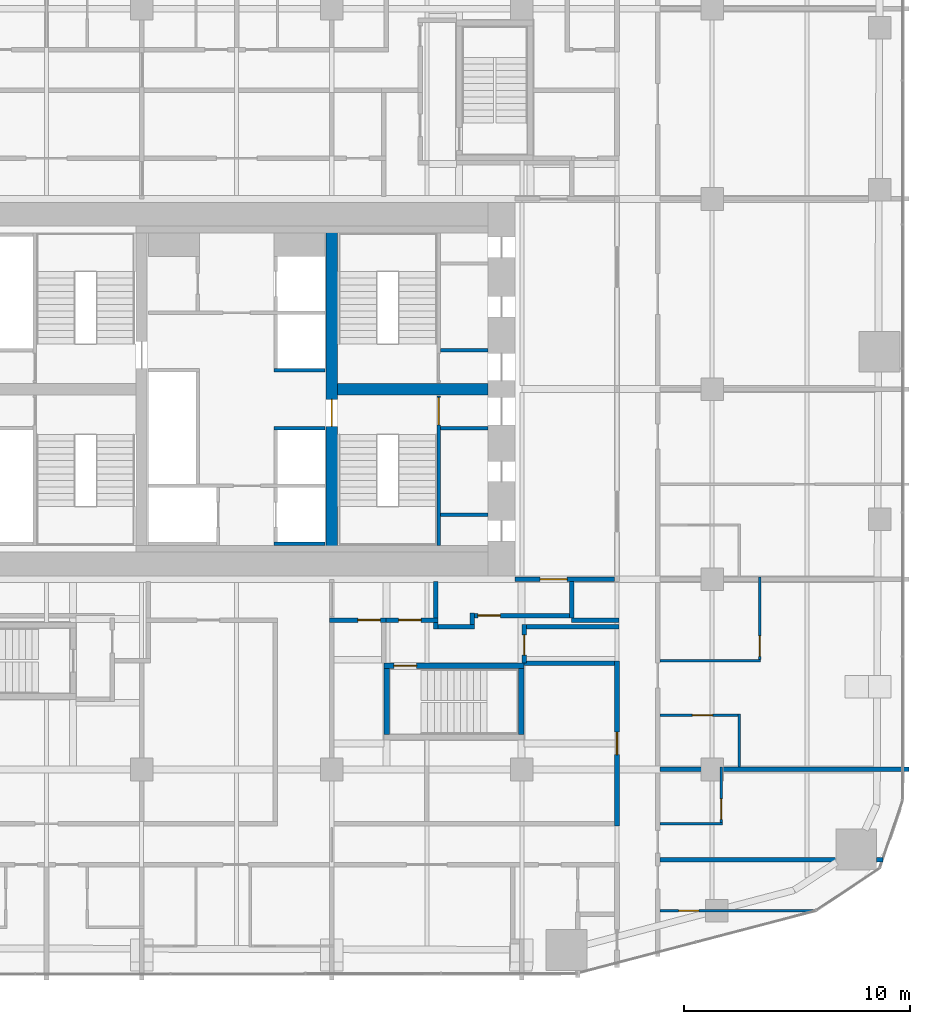
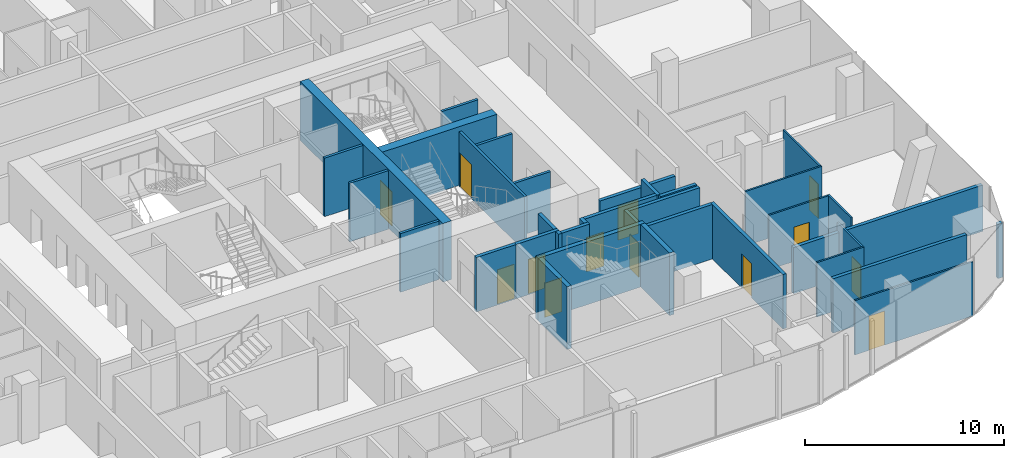
# One storey, part 20 of 27: 36 walls, 13 doors, 13 openings.
"""IFC4 building model written with IfcOpenShell, lengths in metres."""

from ifc_helpers import new_model, si_unit, direction, frame, frame_2d, origin, place, context, subcontext, project, spatial, rectangle, extrude, material, layer, layer_set, type_object, element, fill, save


model = new_model("IFC4")

# Units and contexts
model_context = context("Model", 3, precision=1e-05, world=origin(), true_north=direction((0.0, 1.0)))
body_context = subcontext(model_context, "Body", "Model", "MODEL_VIEW")
ifc_project = project(units=[si_unit("LENGTHUNIT", "METRE"), si_unit("AREAUNIT", "SQUARE_METRE"), si_unit("VOLUMEUNIT", "CUBIC_METRE"), si_unit("PLANEANGLEUNIT", "RADIAN"), si_unit("MASSUNIT", "GRAM", prefix="KILO")], contexts=[model_context])

# Site, building, storey
site_placement = place(None, origin())
site = spatial("IfcSite", under=ifc_project, at=site_placement, CompositionType="ELEMENT")
building_placement = place(site_placement, origin())
building = spatial("IfcBuilding", under=site, at=building_placement, Name="Marenta Gate Hotel Tower", CompositionType="ELEMENT")
storey_placement = place(building_placement, frame((0.0, 0.0, 36.5)))
storey = spatial("IfcBuildingStorey", under=building, at=storey_placement, Name="L06", CompositionType="ELEMENT", Elevation=36.5)

# Wall, opening, door
ifc_material_1 = material(Name="Concrete blockwork", Category="masonry")
ifc_layer_1 = layer(ifc_material_1, 0.199951171875)
ifc_layer_set_1 = layer_set([ifc_layer_1], Name="Concrete blockwork")
wall_type_1 = type_object("IfcWallType", Name="Core boundary wall 200 REI 180", PredefinedType="PARTITIONING", material=ifc_layer_set_1)
wall_1_placement = place(storey_placement, frame((12.300048828125, 0.0, 0.0), z_axis=(0.0, 0.0, 1.0), x_axis=(1.0, 0.0, 0.0)))
wall_1 = element("IfcWall", 1, at=wall_1_placement, inside=storey, type_object=wall_type_1, Name="L06-CP-EW-ES", PredefinedType="PARTITIONING", context=body_context, shape_type="SweptSolid", body=[
    extrude(rectangle(XDim=4.39990234375, YDim=0.199951171875, at=frame_2d((2.199951171875, 0.0))), origin(), (0.0, 0.0, 1.0), 2.840087890625),
])
opening_1_placement = place(wall_1_placement, frame((1.10009765625, 0.0, 0.0)))
opening_1 = element("IfcOpeningElement", 2, at=opening_1_placement, cuts=wall_1, Name="Opening RS-Z1-1", PredefinedType="OPENING", context=body_context, shape_type="SweptSolid", body=[
    extrude(rectangle(XDim=1.199951171875, YDim=2.10009765625, at=frame_2d((0.60009765625, 1.050048828125))), frame((0.0, 0.10009765625, 0.0), z_axis=(0.0, -1.0, 0.0), x_axis=(1.0, 0.0, 0.0)), (0.0, 0.0, 1.0), 0.199951171875),
])
ifc_material_2 = material(Name="Steel", Category="steel")
door_type_1 = type_object("IfcDoorType", Name="Core lobby door 1200x2100 EI 60", OperationType="SINGLE_SWING_LEFT", PredefinedType="DOOR", material=ifc_material_2)
door_1_placement = place(opening_1_placement, origin())
door_1 = element("IfcDoor", 3, at=door_1_placement, inside=storey, type_object=door_type_1, Name="RS-Z1-1", OperationType="SINGLE_SWING_LEFT", OverallHeight=2.10009765625, OverallWidth=1.199951171875, PredefinedType="DOOR", context=body_context, shape_type="SweptSolid", body=[
    extrude(rectangle(XDim=1.199951171875, YDim=2.10009765625, at=frame_2d((0.60009765625, 1.050048828125))), frame((0.0, 0.02490234375, 0.0), z_axis=(0.0, -1.0, 0.0), x_axis=(1.0, 0.0, 0.0)), (0.0, 0.0, 1.0), 0.050048828125),
])
fill(opening_1, door_1)

# Walls
ifc_material_3 = material(Name="Concrete blockwork", Category="masonry")
ifc_layer_2 = layer(ifc_material_3, 0.14990234375)
ifc_layer_set_2 = layer_set([ifc_layer_2], Name="Concrete blockwork")
wall_type_2 = type_object("IfcWallType", Name="Core room partition 150 REI 180", PredefinedType="PARTITIONING", material=ifc_layer_set_2)
for number, where, z_axis, x_axis, name in (
    (4, (9.0, 6.675048828125, 0.0), (0.0, 0.0, 1.0), (1.0, 0.0, 0.0), "L06-CP-SW-ES-2"),
    (5, (9.0, 2.85009765625, 0.0), (0.0, 0.0, 1.0), (1.0, 0.0, 0.0), "L06-CP-RW-ES-1"),
    (6, (9.0, 10.125, 0.0), (0.0, 0.0, 1.0), (1.0, 0.0, 0.0), "L06-CP-SW-EN-2"),
):
    element("IfcWall", number, at=place(storey_placement, frame(where, z_axis=z_axis, x_axis=x_axis)), inside=storey, type_object=wall_type_2, Name=name, PredefinedType="PARTITIONING", context=body_context, shape_type="SweptSolid", body=[
        extrude(rectangle(XDim=2.10009765625, YDim=0.14990234375, at=frame_2d((1.050048828125, 0.0))), origin(), (0.0, 0.0, 1.0), 3.340087890625),
    ])
ifc_material_4 = material(Name="Concrete C40", Category="concrete")
ifc_layer_3 = layer(ifc_material_4, 0.14990234375)
ifc_layer_set_3 = layer_set([ifc_layer_3], Name="Concrete C40")
wall_type_3 = type_object("IfcWallType", Name="Core shaft wall 150 REI 180", PredefinedType="SHEAR", material=ifc_layer_set_3)
for number, where, z_axis, x_axis, name in (
    (7, (1.64990234375, 1.574951171875, 0.0), (0.0, 0.0, 1.0), (1.0, 0.0, 0.0), "L06-SHF-CE-S-bot"),
    (8, (1.64990234375, 6.675048828125, 0.0), (0.0, 0.0, 1.0), (1.0, 0.0, 0.0), "L06-SHF-CE-sep1"),
    (9, (1.64990234375, 9.22509765625, 0.0), (0.0, 0.0, 1.0), (1.0, 0.0, 0.0), "L06-SHF-CE-sep2"),
):
    element("IfcWall", number, at=place(storey_placement, frame(where, z_axis=z_axis, x_axis=x_axis)), inside=storey, type_object=wall_type_3, Name=name, PredefinedType="SHEAR", context=body_context, shape_type="SweptSolid", body=[
        extrude(rectangle(XDim=2.25, YDim=0.14990234375, at=frame_2d((1.125, 0.0))), origin(), (0.0, 0.0, 1.0), 3.60009765625),
    ])

# Wall, opening, door
ifc_material_5 = material(Name="Concrete C40", Category="concrete")
ifc_layer_4 = layer(ifc_material_5, 0.14990234375)
ifc_layer_set_4 = layer_set([ifc_layer_4], Name="Concrete C40")
wall_type_4 = type_object("IfcWallType", Name="Core stair enclosure wall 150 REI 180", PredefinedType="SHEAR", material=ifc_layer_set_4)
wall_2_placement = place(storey_placement, frame((8.925048828125, 1.5, 0.0), z_axis=(0.0, 0.0, 1.0), x_axis=(0.0, 1.0, 0.0)))
wall_2 = element("IfcWall", 10, at=wall_2_placement, inside=storey, type_object=wall_type_4, Name="L06-SHF-SW-ES-3", PredefinedType="SHEAR", context=body_context, shape_type="SweptSolid", body=[
    extrude(rectangle(XDim=6.60009765625, YDim=0.14990234375, at=frame_2d((3.300048828125, 0.0))), origin(), (0.0, 0.0, 1.0), 3.340087890625),
])
opening_2_placement = place(wall_2_placement, frame((5.324951171875, 0.0, 0.0)))
opening_2 = element("IfcOpeningElement", 11, at=opening_2_placement, cuts=wall_2, Name="Opening SD-ES", PredefinedType="OPENING", context=body_context, shape_type="SweptSolid", body=[
    extrude(rectangle(XDim=1.199951171875, YDim=2.10009765625, at=frame_2d((0.60009765625, 1.050048828125))), frame((0.0, 0.074951171875, 0.0), z_axis=(0.0, -1.0, 0.0), x_axis=(1.0, 0.0, 0.0)), (0.0, 0.0, 1.0), 0.14990234375),
])
ifc_material_6 = material(Name="Steel", Category="steel")
door_type_2 = type_object("IfcDoorType", Name="Core stair door 1200x2100 FD60", OperationType="SINGLE_SWING_LEFT", PredefinedType="DOOR", material=ifc_material_6)
door_2_placement = place(opening_2_placement, origin())
door_2 = element("IfcDoor", 12, at=door_2_placement, inside=storey, type_object=door_type_2, Name="SD-ES", OperationType="SINGLE_SWING_LEFT", OverallHeight=2.10009765625, OverallWidth=1.199951171875, PredefinedType="DOOR", context=body_context, shape_type="SweptSolid", body=[
    extrude(rectangle(XDim=1.199951171875, YDim=2.10009765625, at=frame_2d((0.60009765625, 1.050048828125))), frame((0.0, 0.02490234375, 0.0), z_axis=(0.0, -1.0, 0.0), x_axis=(1.0, 0.0, 0.0)), (0.0, 0.0, 1.0), 0.050048828125),
])
fill(opening_2, door_2)

ifc_material_7 = material(Name="Concrete C80", Category="concrete")
ifc_layer_5 = layer(ifc_material_7, 0.5)
ifc_layer_set_5 = layer_set([ifc_layer_5], Name="Concrete C80")
wall_type_5 = type_object("IfcWallType", Name="Core web 500 C80", PredefinedType="SHEAR", material=ifc_layer_set_5)
wall_3_placement = place(storey_placement, frame((4.199951171875, 1.199951171875, 0.0), z_axis=(0.0, 0.0, 1.0), x_axis=(0.0, 1.0, 0.0)))
wall_3 = element("IfcWall", 13, at=wall_3_placement, inside=storey, type_object=wall_type_5, Name="L06-CORE-W2", PredefinedType="SHEAR", context=body_context, shape_type="SweptSolid", body=[
    extrude(rectangle(XDim=14.400146484375, YDim=0.5, at=frame_2d((7.2001953125, 0.0))), origin(), (0.0, 0.0, 1.0), 3.60009765625),
])
opening_3_placement = place(wall_3_placement, frame((5.550048828125, 0.0, 0.0)))
opening_3 = element("IfcOpeningElement", 14, at=opening_3_placement, cuts=wall_3, Name="Opening WD-E", PredefinedType="OPENING", context=body_context, shape_type="SweptSolid", body=[
    extrude(rectangle(XDim=1.199951171875, YDim=2.10009765625, at=frame_2d((0.60009765625, 1.050048828125))), frame((0.0, 0.25, 0.0), z_axis=(0.0, -1.0, 0.0), x_axis=(1.0, 0.0, 0.0)), (0.0, 0.0, 1.0), 0.5),
])
door_3_placement = place(opening_3_placement, origin())
door_3 = element("IfcDoor", 15, at=door_3_placement, inside=storey, type_object=door_type_2, Name="WD-E", OperationType="SINGLE_SWING_LEFT", OverallHeight=2.10009765625, OverallWidth=1.199951171875, PredefinedType="DOOR", context=body_context, shape_type="SweptSolid", body=[
    extrude(rectangle(XDim=1.199951171875, YDim=2.10009765625, at=frame_2d((0.60009765625, 1.050048828125))), frame((0.0, 0.02490234375, 0.0), z_axis=(0.0, -1.0, 0.0), x_axis=(1.0, 0.0, 0.0)), (0.0, 0.0, 1.0), 0.050048828125),
])
fill(opening_3, door_3)

# Wall
wall_4_placement = place(storey_placement, frame((4.449951171875, 8.39990234375, 0.0), z_axis=(0.0, 0.0, 1.0), x_axis=(1.0, 0.0, 0.0)))
element("IfcWall", 16, at=wall_4_placement, inside=storey, type_object=wall_type_5, Name="L06-CORE-W4", PredefinedType="SHEAR", context=body_context, shape_type="SweptSolid", body=[
    extrude(rectangle(XDim=6.650146484375, YDim=0.5, at=frame_2d((3.3251953125, 0.0))), origin(), (0.0, 0.0, 1.0), 3.60009765625),
])

# Wall, opening, door
ifc_material_8 = material(Name="Concrete C40", Category="concrete")
ifc_layer_6 = layer(ifc_material_8, 0.25)
ifc_layer_set_6 = layer_set([ifc_layer_6], Name="Concrete C40")
wall_type_6 = type_object("IfcWallType", Name="Remote stair enclosure wall 250 REI 180", PredefinedType="SHEAR", material=ifc_layer_set_6)
wall_5_placement = place(storey_placement, frame((6.5, -3.824951171875, -0.14990234375), z_axis=(0.0, 0.0, 1.0), x_axis=(1.0, 0.0, 0.0)))
wall_5 = element("IfcWall", 17, at=wall_5_placement, inside=storey, type_object=wall_type_6, Name="L06-RS-Z1-1-W2", PredefinedType="SHEAR", context=body_context, shape_type="SweptSolid", body=[
    extrude(rectangle(XDim=6.199951171875, YDim=0.25, at=frame_2d((3.10009765625, 0.0))), origin(), (0.0, 0.0, 1.0), 3.849853515625),
])
opening_4_placement = place(wall_5_placement, frame((0.449951171875, 0.0, 0.0)))
opening_4 = element("IfcOpeningElement", 18, at=opening_4_placement, cuts=wall_5, Name="Opening VD", PredefinedType="OPENING", context=body_context, shape_type="SweptSolid", body=[
    extrude(rectangle(XDim=1.0, YDim=2.10009765625, at=frame_2d((0.5, 1.050048828125))), frame((0.0, 0.125, 0.0), z_axis=(0.0, -1.0, 0.0), x_axis=(1.0, 0.0, 0.0)), (0.0, 0.0, 1.0), 0.25),
])
ifc_material_9 = material(Name="Steel", Category="steel")
door_type_3 = type_object("IfcDoorType", Name="Stair vestibule door 1000x2100 FD60", OperationType="SINGLE_SWING_LEFT", PredefinedType="DOOR", material=ifc_material_9)
door_4_placement = place(opening_4_placement, origin())
door_4 = element("IfcDoor", 19, at=door_4_placement, inside=storey, type_object=door_type_3, Name="VD", OperationType="SINGLE_SWING_LEFT", OverallHeight=2.10009765625, OverallWidth=1.0, PredefinedType="DOOR", context=body_context, shape_type="SweptSolid", body=[
    extrude(rectangle(XDim=1.0, YDim=2.10009765625, at=frame_2d((0.5, 1.050048828125))), frame((0.0, 0.02490234375, 0.0), z_axis=(0.0, -1.0, 0.0), x_axis=(1.0, 0.0, 0.0)), (0.0, 0.0, 1.0), 0.050048828125),
])
fill(opening_4, door_4)

# Walls
for number, where, z_axis, x_axis, name in (
    (20, (6.625, -6.85009765625, -0.14990234375), (0.0, 0.0, 1.0), (0.0, 1.0, 0.0), "L06-RS-Z1-1-W3"),
    (21, (12.574951171875, -6.85009765625, -0.14990234375), (0.0, 0.0, 1.0), (0.0, 1.0, 0.0), "L06-RS-Z1-1-W4"),
):
    element("IfcWall", number, at=place(storey_placement, frame(where, z_axis=z_axis, x_axis=x_axis)), inside=storey, type_object=wall_type_6, Name=name, PredefinedType="SHEAR", context=body_context, shape_type="SweptSolid", body=[
        extrude(rectangle(XDim=2.900146484375, YDim=0.25, at=frame_2d((1.4501953125, 0.0))), origin(), (0.0, 0.0, 1.0), 3.849853515625),
    ])

# Wall, opening, door
ifc_material_10 = material(Name="Gypsum board on steel stud", Category="steel")
ifc_layer_7 = layer(ifc_material_10, 0.199951171875)
ifc_layer_set_7 = layer_set([ifc_layer_7], Name="Gypsum board on steel stud")
wall_type_7 = type_object("IfcWallType", Name="Room corridor wall 200 EI 60", PredefinedType="PARTITIONING", material=ifc_layer_set_7)
wall_6_placement = place(storey_placement, frame((16.800048828125, -10.89990234375, 0.0), z_axis=(0.0, 0.0, 1.0), x_axis=(0.0, 1.0, 0.0)))
wall_6 = element("IfcWall", 22, at=wall_6_placement, inside=storey, type_object=wall_type_7, Name="L06-PTN-W010", PredefinedType="PARTITIONING", context=body_context, shape_type="SweptSolid", body=[
    extrude(rectangle(XDim=7.2998046875, YDim=0.199951171875, at=frame_2d((3.64990234375, 0.0))), origin(), (0.0, 0.0, 1.0), 3.340087890625),
])
opening_5_placement = place(wall_6_placement, frame((3.14990234375, 0.0, 0.0)))
opening_5 = element("IfcOpeningElement", 23, at=opening_5_placement, cuts=wall_6, Name="Opening G01-69", PredefinedType="OPENING", context=body_context, shape_type="SweptSolid", body=[
    extrude(rectangle(XDim=1.0, YDim=2.10009765625, at=frame_2d((0.5, 1.050048828125))), frame((0.0, 0.10009765625, 0.0), z_axis=(0.0, -1.0, 0.0), x_axis=(1.0, 0.0, 0.0)), (0.0, 0.0, 1.0), 0.199951171875),
])
ifc_material_11 = material(Name="Timber door leaf", Category="wood")
door_type_4 = type_object("IfcDoorType", Name="Room amenity door 1000x2100 EI 30", OperationType="NOTDEFINED", PredefinedType="DOOR", material=ifc_material_11)
door_5_placement = place(opening_5_placement, origin())
door_5 = element("IfcDoor", 24, at=door_5_placement, inside=storey, type_object=door_type_4, Name="L06-PD-D069", OperationType="SINGLE_SWING_LEFT", OverallHeight=2.10009765625, OverallWidth=1.0, PredefinedType="DOOR", context=body_context, shape_type="SweptSolid", body=[
    extrude(rectangle(XDim=1.0, YDim=2.10009765625, at=frame_2d((0.5, 1.050048828125))), frame((0.0, 0.02490234375, 0.0), z_axis=(0.0, -1.0, 0.0), x_axis=(1.0, 0.0, 0.0)), (0.0, 0.0, 1.0), 0.050048828125),
])
fill(opening_5, door_5)

# Wall
wall_7_placement = place(storey_placement, frame((12.699951171875, -3.699951171875, 0.0), z_axis=(0.0, 0.0, 1.0), x_axis=(1.0, 0.0, 0.0)))
element("IfcWall", 25, at=wall_7_placement, inside=storey, type_object=wall_type_7, Name="L06-PTN-W059", PredefinedType="PARTITIONING", context=body_context, shape_type="SweptSolid", body=[
    extrude(rectangle(XDim=4.0, YDim=0.199951171875, at=frame_2d((2.0, 0.0))), origin(), (0.0, 0.0, 1.0), 3.340087890625),
])

# Wall, opening, door
wall_8_placement = place(storey_placement, frame((4.10009765625, -1.800048828125, 0.0), z_axis=(0.0, 0.0, 1.0), x_axis=(1.0, 0.0, 0.0)))
wall_8 = element("IfcWall", 26, at=wall_8_placement, inside=storey, type_object=wall_type_7, Name="L06-PTN-W067", PredefinedType="PARTITIONING", context=body_context, shape_type="SweptSolid", body=[
    extrude(rectangle(XDim=2.5, YDim=0.199951171875, at=frame_2d((1.25, 0.0))), origin(), (0.0, 0.0, 1.0), 3.340087890625),
])
opening_6_placement = place(wall_8_placement, frame((1.25, 0.0, 0.0)))
opening_6 = element("IfcOpeningElement", 27, at=opening_6_placement, cuts=wall_8, Name="Opening G01-08", PredefinedType="OPENING", context=body_context, shape_type="SweptSolid", body=[
    extrude(rectangle(XDim=1.0, YDim=2.10009765625, at=frame_2d((0.5, 1.050048828125))), frame((0.0, 0.10009765625, 0.0), z_axis=(0.0, -1.0, 0.0), x_axis=(1.0, 0.0, 0.0)), (0.0, 0.0, 1.0), 0.199951171875),
])
door_6_placement = place(opening_6_placement, origin())
door_6 = element("IfcDoor", 28, at=door_6_placement, inside=storey, type_object=door_type_4, Name="L06-PD-D008", OperationType="SINGLE_SWING_RIGHT", OverallHeight=2.10009765625, OverallWidth=1.0, PredefinedType="DOOR", context=body_context, shape_type="SweptSolid", body=[
    extrude(rectangle(XDim=1.0, YDim=2.10009765625, at=frame_2d((0.5, 1.050048828125))), frame((0.0, 0.02490234375, 0.0), z_axis=(0.0, -1.0, 0.0), x_axis=(1.0, 0.0, 0.0)), (0.0, 0.0, 1.0), 0.050048828125),
])
fill(opening_6, door_6)

# Wall
ifc_material_12 = material(Name="Concrete blockwork", Category="masonry")
ifc_layer_8 = layer(ifc_material_12, 0.199951171875)
ifc_layer_set_8 = layer_set([ifc_layer_8], Name="Concrete blockwork")
wall_type_8 = type_object("IfcWallType", Name="Room corridor wall 200 REI 180", PredefinedType="PARTITIONING", material=ifc_layer_set_8)
wall_9_placement = place(storey_placement, frame((14.800048828125, -1.699951171875, 0.0), z_axis=(0.0, 0.0, 1.0), x_axis=(0.0, 1.0, 0.0)))
element("IfcWall", 29, at=wall_9_placement, inside=storey, type_object=wall_type_8, Name="L06-PTN-W022", PredefinedType="PARTITIONING", context=body_context, shape_type="SweptSolid", body=[
    extrude(rectangle(XDim=1.599853515625, YDim=0.199951171875, at=frame_2d((0.7998046875, 0.0))), origin(), (0.0, 0.0, 1.0), 3.340087890625),
])

# Wall, opening, door
wall_10_placement = place(storey_placement, frame((12.699951171875, -3.699951171875, 0.0), z_axis=(0.0, 0.0, 1.0), x_axis=(0.0, 1.0, 0.0)))
wall_10 = element("IfcWall", 30, at=wall_10_placement, inside=storey, type_object=wall_type_8, Name="L06-PTN-W028", PredefinedType="PARTITIONING", context=body_context, shape_type="SweptSolid", body=[
    extrude(rectangle(XDim=1.699951171875, YDim=0.199951171875, at=frame_2d((0.85009765625, 0.0))), origin(), (0.0, 0.0, 1.0), 3.340087890625),
])
opening_7_placement = place(wall_10_placement, frame((0.35009765625, 0.0, 0.0)))
opening_7 = element("IfcOpeningElement", 31, at=opening_7_placement, cuts=wall_10, Name="Opening G01-60", PredefinedType="OPENING", context=body_context, shape_type="SweptSolid", body=[
    extrude(rectangle(XDim=0.89990234375, YDim=2.10009765625, at=frame_2d((0.449951171875, 1.050048828125))), frame((0.0, 0.10009765625, 0.0), z_axis=(0.0, -1.0, 0.0), x_axis=(1.0, 0.0, 0.0)), (0.0, 0.0, 1.0), 0.199951171875),
])
ifc_material_13 = material(Name="Hollow steel door set", Category="steel")
door_type_5 = type_object("IfcDoorType", Name="Stair vestibule door 900x2100 EI 60", OperationType="NOTDEFINED", PredefinedType="DOOR", material=ifc_material_13)
door_7_placement = place(opening_7_placement, origin())
door_7 = element("IfcDoor", 32, at=door_7_placement, inside=storey, type_object=door_type_5, Name="L06-PD-D060", OperationType="SINGLE_SWING_LEFT", OverallHeight=2.10009765625, OverallWidth=0.89990234375, PredefinedType="DOOR", context=body_context, shape_type="SweptSolid", body=[
    extrude(rectangle(XDim=0.89990234375, YDim=2.10009765625, at=frame_2d((0.449951171875, 1.050048828125))), frame((0.0, 0.02490234375, 0.0), z_axis=(0.0, -1.0, 0.0), x_axis=(1.0, 0.0, 0.0)), (0.0, 0.0, 1.0), 0.050048828125),
])
fill(opening_7, door_7)

# Walls
wall_11_placement = place(storey_placement, frame((8.800048828125, -1.699951171875, 0.0), z_axis=(0.0, 0.0, 1.0), x_axis=(0.0, 1.0, 0.0)))
element("IfcWall", 33, at=wall_11_placement, inside=storey, type_object=wall_type_8, Name="L06-PTN-W041", PredefinedType="PARTITIONING", context=body_context, shape_type="SweptSolid", body=[
    extrude(rectangle(XDim=1.599853515625, YDim=0.199951171875, at=frame_2d((0.7998046875, 0.0))), origin(), (0.0, 0.0, 1.0), 3.340087890625),
])
wall_12_placement = place(storey_placement, frame((12.800048828125, -2.10009765625, 0.0), z_axis=(0.0, 0.0, 1.0), x_axis=(1.0, 0.0, 0.0)))
element("IfcWall", 34, at=wall_12_placement, inside=storey, type_object=wall_type_8, Name="L06-PTN-W063", PredefinedType="PARTITIONING", context=body_context, shape_type="SweptSolid", body=[
    extrude(rectangle(XDim=4.099853515625, YDim=0.199951171875, at=frame_2d((2.0498046875, 0.0))), origin(), (0.0, 0.0, 1.0), 3.340087890625),
])

# Wall, opening, door
wall_13_placement = place(storey_placement, frame((6.39990234375, -1.800048828125, 0.0), z_axis=(0.0, 0.0, 1.0), x_axis=(1.0, 0.0, 0.0)))
wall_13 = element("IfcWall", 35, at=wall_13_placement, inside=storey, type_object=wall_type_8, Name="L06-PTN-W069", PredefinedType="PARTITIONING", context=body_context, shape_type="SweptSolid", body=[
    extrude(rectangle(XDim=2.5, YDim=0.199951171875, at=frame_2d((1.25, 0.0))), origin(), (0.0, 0.0, 1.0), 3.340087890625),
])
opening_8_placement = place(wall_13_placement, frame((0.75, 0.0, 0.0)))
opening_8 = element("IfcOpeningElement", 36, at=opening_8_placement, cuts=wall_13, Name="Opening G01-71", PredefinedType="OPENING", context=body_context, shape_type="SweptSolid", body=[
    extrude(rectangle(XDim=1.0, YDim=2.10009765625, at=frame_2d((0.5, 1.050048828125))), frame((0.0, 0.10009765625, 0.0), z_axis=(0.0, -1.0, 0.0), x_axis=(1.0, 0.0, 0.0)), (0.0, 0.0, 1.0), 0.199951171875),
])
ifc_material_14 = material(Name="Hollow steel door set", Category="steel")
door_type_6 = type_object("IfcDoorType", Name="Room service door 1000x2100 EI 60", OperationType="NOTDEFINED", PredefinedType="DOOR", material=ifc_material_14)
door_8_placement = place(opening_8_placement, origin())
door_8 = element("IfcDoor", 37, at=door_8_placement, inside=storey, type_object=door_type_6, Name="L06-PD-D071", OperationType="SINGLE_SWING_LEFT", OverallHeight=2.10009765625, OverallWidth=1.0, PredefinedType="DOOR", context=body_context, shape_type="SweptSolid", body=[
    extrude(rectangle(XDim=1.0, YDim=2.10009765625, at=frame_2d((0.5, 1.050048828125))), frame((0.0, 0.02490234375, 0.0), z_axis=(0.0, -1.0, 0.0), x_axis=(1.0, 0.0, 0.0)), (0.0, 0.0, 1.0), 0.050048828125),
])
fill(opening_8, door_8)

# Wall
wall_14_placement = place(storey_placement, frame((14.800048828125, -1.800048828125, 0.0), z_axis=(0.0, 0.0, 1.0), x_axis=(1.0, 0.0, 0.0)))
element("IfcWall", 38, at=wall_14_placement, inside=storey, type_object=wall_type_8, Name="L06-PTN-W070", PredefinedType="PARTITIONING", context=body_context, shape_type="SweptSolid", body=[
    extrude(rectangle(XDim=2.099853515625, YDim=0.199951171875, at=frame_2d((1.0498046875, 0.0))), origin(), (0.0, 0.0, 1.0), 3.340087890625),
])

# Wall, opening, door
ifc_material_15 = material(Name="Gypsum board on steel stud", Category="steel")
ifc_layer_9 = layer(ifc_material_15, 0.10009765625)
ifc_layer_set_9 = layer_set([ifc_layer_9], Name="Gypsum board on steel stud")
wall_type_9 = type_object("IfcWallType", Name="Room partition 100", PredefinedType="PARTITIONING", material=ifc_layer_set_9)
wall_15_placement = place(storey_placement, frame((23.10009765625, -3.550048828125, 0.0), z_axis=(0.0, 0.0, 1.0), x_axis=(0.0, 1.0, 0.0)))
wall_15 = element("IfcWall", 39, at=wall_15_placement, inside=storey, type_object=wall_type_9, Name="L06-PTN-W001", PredefinedType="PARTITIONING", context=body_context, shape_type="SweptSolid", body=[
    extrude(rectangle(XDim=3.650146484375, YDim=0.10009765625, at=frame_2d((1.8251953125, 0.0))), origin(), (0.0, 0.0, 1.0), 3.340087890625),
])
opening_9_placement = place(wall_15_placement, frame((0.14990234375, 0.0, 0.0)))
opening_9 = element("IfcOpeningElement", 40, at=opening_9_placement, cuts=wall_15, Name="Opening G01-14", PredefinedType="OPENING", context=body_context, shape_type="SweptSolid", body=[
    extrude(rectangle(XDim=0.89990234375, YDim=2.10009765625, at=frame_2d((0.449951171875, 1.050048828125))), frame((0.0, 0.050048828125, 0.0), z_axis=(0.0, -1.0, 0.0), x_axis=(1.0, 0.0, 0.0)), (0.0, 0.0, 1.0), 0.10009765625),
])
ifc_material_16 = material(Name="Timber door leaf", Category="wood")
door_type_7 = type_object("IfcDoorType", Name="Guest bathroom door 900x2100", OperationType="NOTDEFINED", PredefinedType="DOOR", material=ifc_material_16)
door_9_placement = place(opening_9_placement, origin())
door_9 = element("IfcDoor", 41, at=door_9_placement, inside=storey, type_object=door_type_7, Name="L06-PD-D014", OperationType="SINGLE_SWING_LEFT", OverallHeight=2.10009765625, OverallWidth=0.89990234375, PredefinedType="DOOR", context=body_context, shape_type="SweptSolid", body=[
    extrude(rectangle(XDim=0.89990234375, YDim=2.10009765625, at=frame_2d((0.449951171875, 1.050048828125))), frame((0.0, 0.02490234375, 0.0), z_axis=(0.0, -1.0, 0.0), x_axis=(1.0, 0.0, 0.0)), (0.0, 0.0, 1.0), 0.050048828125),
])
fill(opening_9, door_9)

# Wall
wall_16_placement = place(storey_placement, frame((22.199951171875, -8.300048828125, 0.0), z_axis=(0.0, 0.0, 1.0), x_axis=(0.0, 1.0, 0.0)))
element("IfcWall", 42, at=wall_16_placement, inside=storey, type_object=wall_type_9, Name="L06-PTN-W002", PredefinedType="PARTITIONING", context=body_context, shape_type="SweptSolid", body=[
    extrude(rectangle(XDim=2.35009765625, YDim=0.10009765625, at=frame_2d((1.175048828125, 0.0))), origin(), (0.0, 0.0, 1.0), 3.340087890625),
])

# Wall, opening, door
wall_17_placement = place(storey_placement, frame((21.39990234375, -10.75, 0.0), z_axis=(0.0, 0.0, 1.0), x_axis=(0.0, 1.0, 0.0)))
wall_17 = element("IfcWall", 43, at=wall_17_placement, inside=storey, type_object=wall_type_9, Name="L06-PTN-W005", PredefinedType="PARTITIONING", context=body_context, shape_type="SweptSolid", body=[
    extrude(rectangle(XDim=2.449951171875, YDim=0.10009765625, at=frame_2d((1.22509765625, 0.0))), origin(), (0.0, 0.0, 1.0), 3.340087890625),
])
opening_10_placement = place(wall_17_placement, frame((0.14990234375, 0.0, 0.0)))
opening_10 = element("IfcOpeningElement", 44, at=opening_10_placement, cuts=wall_17, Name="Opening G01-12", PredefinedType="OPENING", context=body_context, shape_type="SweptSolid", body=[
    extrude(rectangle(XDim=0.89990234375, YDim=2.10009765625, at=frame_2d((0.449951171875, 1.050048828125))), frame((0.0, 0.050048828125, 0.0), z_axis=(0.0, -1.0, 0.0), x_axis=(1.0, 0.0, 0.0)), (0.0, 0.0, 1.0), 0.10009765625),
])
door_10_placement = place(opening_10_placement, origin())
door_10 = element("IfcDoor", 45, at=door_10_placement, inside=storey, type_object=door_type_7, Name="L06-PD-D012", OperationType="SINGLE_SWING_LEFT", OverallHeight=2.10009765625, OverallWidth=0.89990234375, PredefinedType="DOOR", context=body_context, shape_type="SweptSolid", body=[
    extrude(rectangle(XDim=0.89990234375, YDim=2.10009765625, at=frame_2d((0.449951171875, 1.050048828125))), frame((0.0, 0.02490234375, 0.0), z_axis=(0.0, -1.0, 0.0), x_axis=(1.0, 0.0, 0.0)), (0.0, 0.0, 1.0), 0.050048828125),
])
fill(opening_10, door_10)

wall_18_placement = place(storey_placement, frame((18.699951171875, -14.638916015625, 0.0), z_axis=(0.0, 0.0, 1.0), x_axis=(1.0, 0.0, 0.0)))
wall_18 = element("IfcWall", 46, at=wall_18_placement, inside=storey, type_object=wall_type_9, Name="L06-PTN-W025", PredefinedType="PARTITIONING", context=body_context, shape_type="SweptSolid", body=[
    extrude(rectangle(XDim=6.844970703125, YDim=0.10009765625, at=frame_2d((3.42236328125, 0.0))), origin(), (0.0, 0.0, 1.0), 3.340087890625),
])
opening_11_placement = place(wall_18_placement, frame((0.820068359375, 0.0, 0.0)))
opening_11 = element("IfcOpeningElement", 47, at=opening_11_placement, cuts=wall_18, Name="Opening G01-10", PredefinedType="OPENING", context=body_context, shape_type="SweptSolid", body=[
    extrude(rectangle(XDim=0.89990234375, YDim=2.10009765625, at=frame_2d((0.449951171875, 1.050048828125))), frame((0.0, 0.050048828125, 0.0), z_axis=(0.0, -1.0, 0.0), x_axis=(1.0, 0.0, 0.0)), (0.0, 0.0, 1.0), 0.10009765625),
])
door_11_placement = place(opening_11_placement, origin())
door_11 = element("IfcDoor", 48, at=door_11_placement, inside=storey, type_object=door_type_7, Name="L06-PD-D010", OperationType="SINGLE_SWING_LEFT", OverallHeight=2.10009765625, OverallWidth=0.89990234375, PredefinedType="DOOR", context=body_context, shape_type="SweptSolid", body=[
    extrude(rectangle(XDim=0.89990234375, YDim=2.10009765625, at=frame_2d((0.449951171875, 1.050048828125))), frame((0.0, 0.02490234375, 0.0), z_axis=(0.0, -1.0, 0.0), x_axis=(1.0, 0.0, 0.0)), (0.0, 0.0, 1.0), 0.050048828125),
])
fill(opening_11, door_11)

# Wall
wall_19_placement = place(storey_placement, frame((18.699951171875, -10.800048828125, 0.0), z_axis=(0.0, 0.0, 1.0), x_axis=(1.0, 0.0, 0.0)))
element("IfcWall", 49, at=wall_19_placement, inside=storey, type_object=wall_type_9, Name="L06-PTN-W036", PredefinedType="PARTITIONING", context=body_context, shape_type="SweptSolid", body=[
    extrude(rectangle(XDim=2.75, YDim=0.10009765625, at=frame_2d((1.375, 0.0))), origin(), (0.0, 0.0, 1.0), 3.340087890625),
])

# Wall, opening, door
wall_20_placement = place(storey_placement, frame((18.699951171875, -6.0, 0.0), z_axis=(0.0, 0.0, 1.0), x_axis=(1.0, 0.0, 0.0)))
wall_20 = element("IfcWall", 50, at=wall_20_placement, inside=storey, type_object=wall_type_9, Name="L06-PTN-W051", PredefinedType="PARTITIONING", context=body_context, shape_type="SweptSolid", body=[
    extrude(rectangle(XDim=3.449951171875, YDim=0.10009765625, at=frame_2d((1.72509765625, 0.0))), origin(), (0.0, 0.0, 1.0), 3.340087890625),
])
opening_12_placement = place(wall_20_placement, frame((1.429931640625, 0.0, 0.0)))
opening_12 = element("IfcOpeningElement", 51, at=opening_12_placement, cuts=wall_20, Name="Opening G01-15", PredefinedType="OPENING", context=body_context, shape_type="SweptSolid", body=[
    extrude(rectangle(XDim=0.89990234375, YDim=2.10009765625, at=frame_2d((0.449951171875, 1.050048828125))), frame((0.0, 0.050048828125, 0.0), z_axis=(0.0, -1.0, 0.0), x_axis=(1.0, 0.0, 0.0)), (0.0, 0.0, 1.0), 0.10009765625),
])
ifc_material_17 = material(Name="Timber door leaf", Category="wood")
door_type_8 = type_object("IfcDoorType", Name="Room inner door 900x2100", OperationType="NOTDEFINED", PredefinedType="DOOR", material=ifc_material_17)
door_12_placement = place(opening_12_placement, origin())
door_12 = element("IfcDoor", 52, at=door_12_placement, inside=storey, type_object=door_type_8, Name="L06-PD-D015", OperationType="SINGLE_SWING_LEFT", OverallHeight=2.10009765625, OverallWidth=0.89990234375, PredefinedType="DOOR", context=body_context, shape_type="SweptSolid", body=[
    extrude(rectangle(XDim=0.89990234375, YDim=2.10009765625, at=frame_2d((0.449951171875, 1.050048828125))), frame((0.0, 0.02490234375, 0.0), z_axis=(0.0, -1.0, 0.0), x_axis=(1.0, 0.0, 0.0)), (0.0, 0.0, 1.0), 0.050048828125),
])
fill(opening_12, door_12)

# Walls
wall_21_placement = place(storey_placement, frame((18.699951171875, -3.60009765625, 0.0), z_axis=(0.0, 0.0, 1.0), x_axis=(1.0, 0.0, 0.0)))
element("IfcWall", 53, at=wall_21_placement, inside=storey, type_object=wall_type_9, Name="L06-PTN-W061", PredefinedType="PARTITIONING", context=body_context, shape_type="SweptSolid", body=[
    extrude(rectangle(XDim=4.449951171875, YDim=0.10009765625, at=frame_2d((2.22509765625, 0.0))), origin(), (0.0, 0.0, 1.0), 3.340087890625),
])
ifc_material_18 = material(Name="Gypsum board on steel stud", Category="steel")
ifc_layer_10 = layer(ifc_material_18, 0.199951171875)
ifc_layer_set_10 = layer_set([ifc_layer_10], Name="Gypsum board on steel stud")
wall_type_10 = type_object("IfcWallType", Name="Room party wall 200 EI 60", PredefinedType="PARTITIONING", material=ifc_layer_set_10)
wall_22_placement = place(storey_placement, frame((18.699951171875, -12.383056640625, 0.0), z_axis=(0.0, 0.0, 1.0), x_axis=(1.0, 0.0, 0.0)))
element("IfcWall", 54, at=wall_22_placement, inside=storey, type_object=wall_type_10, Name="L06-PTN-W033", PredefinedType="PARTITIONING", context=body_context, shape_type="SweptSolid", body=[
    extrude(rectangle(XDim=7.762939453125, YDim=0.199951171875, at=frame_2d((3.88134765625, 0.0))), origin(), (0.0, 0.0, 1.0), 3.340087890625),
])
wall_23_placement = place(storey_placement, frame((28.262939453125, -12.383056640625, 0.0), z_axis=(0.0, 0.0, 1.0), x_axis=(1.0, 0.0, 0.0)))
element("IfcWall", 55, at=wall_23_placement, inside=storey, type_object=wall_type_10, Name="L06-PTN-W164", PredefinedType="PARTITIONING", context=body_context, shape_type="SweptSolid", body=[
    extrude(rectangle(XDim=0.2900390625, YDim=0.199951171875, at=frame_2d((0.14501953125, 0.0))), origin(), (0.0, 0.0, 1.0), 3.340087890625),
])
wall_24_placement = place(storey_placement, frame((18.699951171875, -8.39990234375, 0.0), z_axis=(0.0, 0.0, 1.0), x_axis=(1.0, 0.0, 0.0)))
element("IfcWall", 56, at=wall_24_placement, inside=storey, type_object=wall_type_10, Name="L06-PTN-W044", PredefinedType="PARTITIONING", context=body_context, shape_type="SweptSolid", body=[
    extrude(rectangle(XDim=11.0, YDim=0.199951171875, at=frame_2d((5.5, 0.0))), origin(), (0.0, 0.0, 1.0), 2.840087890625),
])
ifc_material_19 = material(Name="Concrete blockwork", Category="masonry")
ifc_layer_11 = layer(ifc_material_19, 0.199951171875)
ifc_layer_set_11 = layer_set([ifc_layer_11], Name="Concrete blockwork")
wall_type_11 = type_object("IfcWallType", Name="Room party wall 200 REI 180", PredefinedType="PARTITIONING", material=ifc_layer_set_11)
wall_25_placement = place(storey_placement, frame((10.39990234375, -2.0, 0.0), z_axis=(0.0, 0.0, 1.0), x_axis=(0.0, 1.0, 0.0)))
element("IfcWall", 57, at=wall_25_placement, inside=storey, type_object=wall_type_11, Name="L06-PTN-W039", PredefinedType="PARTITIONING", context=body_context, shape_type="SweptSolid", body=[
    extrude(rectangle(XDim=0.5, YDim=0.199951171875, at=frame_2d((0.25, 0.0))), origin(), (0.0, 0.0, 1.0), 3.340087890625),
])
wall_26_placement = place(storey_placement, frame((8.800048828125, -2.199951171875, 0.0), z_axis=(0.0, 0.0, 1.0), x_axis=(0.0, 1.0, 0.0)))
element("IfcWall", 58, at=wall_26_placement, inside=storey, type_object=wall_type_11, Name="L06-PTN-W040", PredefinedType="PARTITIONING", context=body_context, shape_type="SweptSolid", body=[
    extrude(rectangle(XDim=0.300048828125, YDim=0.199951171875, at=frame_2d((0.14990234375, 0.0))), origin(), (0.0, 0.0, 1.0), 3.340087890625),
])
wall_27_placement = place(storey_placement, frame((8.89990234375, -2.10009765625, 0.0), z_axis=(0.0, 0.0, 1.0), x_axis=(1.0, 0.0, 0.0)))
element("IfcWall", 59, at=wall_27_placement, inside=storey, type_object=wall_type_11, Name="L06-PTN-W062", PredefinedType="PARTITIONING", context=body_context, shape_type="SweptSolid", body=[
    extrude(rectangle(XDim=1.60009765625, YDim=0.199951171875, at=frame_2d((0.800048828125, 0.0))), origin(), (0.0, 0.0, 1.0), 3.340087890625),
])

# Wall, opening, door
wall_28_placement = place(storey_placement, frame((10.5, -1.60009765625, 0.0), z_axis=(0.0, 0.0, 1.0), x_axis=(1.0, 0.0, 0.0)))
wall_28 = element("IfcWall", 60, at=wall_28_placement, inside=storey, type_object=wall_type_11, Name="L06-PTN-W073", PredefinedType="PARTITIONING", context=body_context, shape_type="SweptSolid", body=[
    extrude(rectangle(XDim=4.199951171875, YDim=0.199951171875, at=frame_2d((2.10009765625, 0.0))), origin(), (0.0, 0.0, 1.0), 3.340087890625),
])
opening_13_placement = place(wall_28_placement, frame((0.14990234375, 0.0, 0.0)))
opening_13 = element("IfcOpeningElement", 61, at=opening_13_placement, cuts=wall_28, Name="Opening G01-61", PredefinedType="OPENING", context=body_context, shape_type="SweptSolid", body=[
    extrude(rectangle(XDim=1.0, YDim=2.10009765625, at=frame_2d((0.5, 1.050048828125))), frame((0.0, 0.10009765625, 0.0), z_axis=(0.0, -1.0, 0.0), x_axis=(1.0, 0.0, 0.0)), (0.0, 0.0, 1.0), 0.199951171875),
])
ifc_material_20 = material(Name="Hollow steel door set", Category="steel")
door_type_9 = type_object("IfcDoorType", Name="Stair vestibule door 1000x2100 EI 60", OperationType="NOTDEFINED", PredefinedType="DOOR", material=ifc_material_20)
door_13_placement = place(opening_13_placement, origin())
door_13 = element("IfcDoor", 62, at=door_13_placement, inside=storey, type_object=door_type_9, Name="L06-PD-D061", OperationType="SINGLE_SWING_LEFT", OverallHeight=2.10009765625, OverallWidth=1.0, PredefinedType="DOOR", context=body_context, shape_type="SweptSolid", body=[
    extrude(rectangle(XDim=1.0, YDim=2.10009765625, at=frame_2d((0.5, 1.050048828125))), frame((0.0, 0.02490234375, 0.0), z_axis=(0.0, -1.0, 0.0), x_axis=(1.0, 0.0, 0.0)), (0.0, 0.0, 1.0), 0.050048828125),
])
fill(opening_13, door_13)

save(model, "model.ifc")
